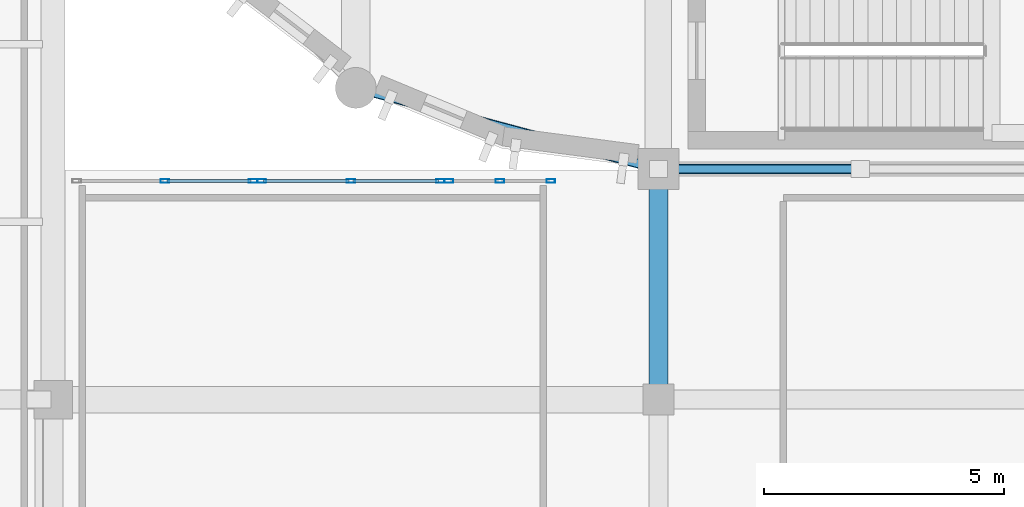
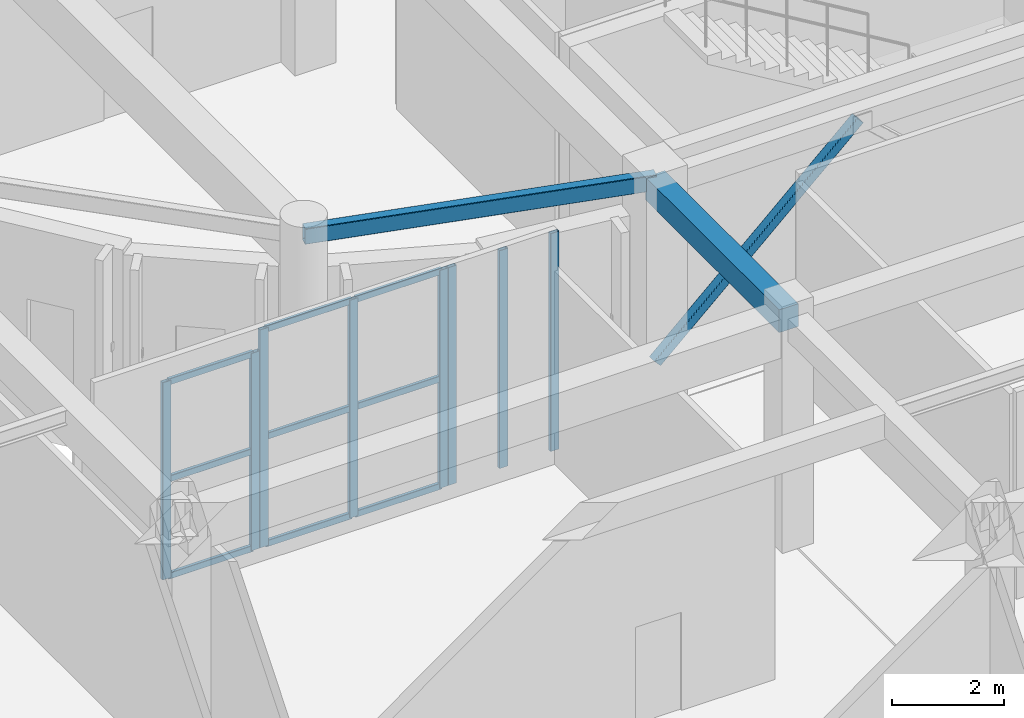
# One storey, part 33 of 98: 18 members, 2 beams, 3 elements without a shape of their own.
"""IFC4 building model written with IfcOpenShell, lengths in metres."""

from ifc_helpers import new_model, si_unit, direction, frame, origin, origin_2d, place, context, subcontext, project, spatial, rectangle, hollow_rectangle, extrude, material, layer, layer_set, material_profile, profile_set, type_object, element, aggregate, save


model = new_model("IFC4")

# Units and contexts
model_context = context("Model", 3, precision=1e-05, world=origin(), true_north=direction((0.0, 1.0)))
body_context = subcontext(model_context, "Body", "Model", "MODEL_VIEW")
ifc_project = project(units=[si_unit("LENGTHUNIT", "METRE"), si_unit("AREAUNIT", "SQUARE_METRE"), si_unit("VOLUMEUNIT", "CUBIC_METRE"), si_unit("PLANEANGLEUNIT", "RADIAN"), si_unit("MASSUNIT", "GRAM", prefix="KILO")], contexts=[model_context])

# Site, building, storey
site_placement = place(None, origin())
site = spatial("IfcSite", under=ifc_project, at=site_placement, CompositionType="ELEMENT")
building_placement = place(site_placement, origin())
building = spatial("IfcBuilding", under=site, at=building_placement, Name="Tarnavel Promenade Courthouse", CompositionType="ELEMENT")
storey_placement = place(building_placement, origin())
storey = spatial("IfcBuildingStorey", under=building, at=storey_placement, Name="L01", CompositionType="ELEMENT", Elevation=0.0)

# Beams
ifc_material_1 = material(Name="Concrete C40/50", Category="concrete")
ifc_material_profile_1 = material_profile(ifc_material_1, rectangle(XDim=0.39990234375, YDim=0.5, at=origin_2d()), Name="RC 400x500")
ifc_profile_set_1 = profile_set([ifc_material_profile_1], Name="Concrete C40/50")
beam_type_1 = type_object("IfcBeamType", Name="Concrete C40/50 BM-RC-400x500 (RC 400x500)", PredefinedType="BEAM", material=ifc_profile_set_1)
beam_1_placement = place(storey_placement, frame((58.800048828125, 74.39990234375, 4.844970703125), z_axis=(0.0, 1.0, 0.0), x_axis=(-1.0, 0.0, 0.0)))
element("IfcBeam", 1, at=beam_1_placement, inside=storey, type_object=beam_type_1, Name="L01 Transverse Girder 0791", PredefinedType="BEAM", context=body_context, shape_type="SweptSolid", body=[
    extrude(rectangle(XDim=0.39990234375, YDim=0.5, at=origin_2d()), origin(), (0.0, 0.0, 1.0), 4.800048828125),
])
ifc_material_2 = material(Name="Steel S355J2", Category="steel")
ifc_material_profile_2 = material_profile(ifc_material_2, hollow_rectangle(XDim=0.199951171875, YDim=0.35009765625, WallThickness=0.012451171875, InnerFilletRadius=0.012451171875, OuterFilletRadius=0.02490234375, at=origin_2d()), Name="RHS 350x200x12.5")
ifc_profile_set_2 = profile_set([ifc_material_profile_2], Name="Steel S355J2")
beam_type_2 = type_object("IfcBeamType", Name="Steel S355J2 BM-ST-RHS350 (RHS 350x200x12.5)", PredefinedType="SPANDREL", material=ifc_profile_set_2)
beam_2_placement = place(storey_placement, frame((52.5, 80.88818359375, 4.9599609375), z_axis=(0.965920481897, -0.258838989821, 0.0), x_axis=(0.258838989821, 0.965920481897, 0.0)))
element("IfcBeam", 2, at=beam_2_placement, inside=storey, type_object=beam_type_2, Name="L01 Drum Ring Spandrel 1059", PredefinedType="SPANDREL", context=body_context, shape_type="SweptSolid", body=[
    extrude(hollow_rectangle(XDim=0.199951171875, YDim=0.35009765625, WallThickness=0.012451171875, InnerFilletRadius=0.012451171875, OuterFilletRadius=0.02490234375, at=origin_2d()), origin(), (0.0, 0.0, 1.0), 6.522216796875),
])

# Member
ifc_material_profile_3 = material_profile(ifc_material_2, hollow_rectangle(XDim=0.199951171875, YDim=0.199951171875, WallThickness=0.012451171875, InnerFilletRadius=0.012451171875, OuterFilletRadius=0.02490234375, at=origin_2d()), Name="SHS 200x200x12.5")
ifc_profile_set_3 = profile_set([ifc_material_profile_3], Name="Steel S355J2")
member_type_1 = type_object("IfcMemberType", Name="Steel S355J2 MEM-BR-SHS200 (SHS 200x200x12.5)", PredefinedType="BRACE", material=ifc_profile_set_3)
member_1_placement = place(storey_placement, frame((58.800048828125, 79.199951171875, 0.9951171875), z_axis=(0.737163033708, 0.0, 0.675714926381), x_axis=(0.0, 1.0, 0.0)))
element("IfcMember", 3, at=member_1_placement, inside=storey, type_object=member_type_1, Name="L01 V5 Chevron Brace A 002", PredefinedType="BRACE", context=body_context, shape_type="SweptSolid", body=[
    extrude(hollow_rectangle(XDim=0.199951171875, YDim=0.199951171875, WallThickness=0.012451171875, InnerFilletRadius=0.012451171875, OuterFilletRadius=0.02490234375, at=origin_2d()), origin(), (0.0, 0.0, 1.0), 5.697509765625),
])

# Curtain wall, members
ifc_material_3 = material(Name="Thermally Broken Anodised Aluminium Curtain Wall System", Category="aluminium")
ifc_layer = layer(ifc_material_3, 0.2099609375)
ifc_layer_set = layer_set([ifc_layer], Name="Thermally Broken Anodised Aluminium Curtain Wall System")
curtain_wall_type = type_object("IfcCurtainWallType", Name="Thermally Broken Aluminium Triple-Glazed Curtain Wall CW-WG-N", PredefinedType="NOTDEFINED", material=ifc_layer_set)
curtain_wall_1_placement = place(storey_placement, origin())
curtain_wall_1 = element("IfcCurtainWall", 4, at=curtain_wall_1_placement, inside=storey, type_object=curtain_wall_type, Name="L01 Winter-Garden North Curtain Wall 102", PredefinedType="NOTDEFINED")
ifc_material_4 = material(Name="Thermally Broken Anodised Aluminium Frame", Category="aluminium")
ifc_material_profile_4 = material_profile(ifc_material_4, hollow_rectangle(XDim=0.080078125, YDim=0.179931640625, WallThickness=0.0048828125, InnerFilletRadius=0.0048828125, OuterFilletRadius=0.010009765625, at=origin_2d()), Name="CWM 180x80x5")
ifc_profile_set_4 = profile_set([ifc_material_profile_4], Name="Thermally Broken Anodised Aluminium Frame")
member_type_2 = type_object("IfcMemberType", Name="Thermally Broken Anodised Aluminium CWM-155 (CWM 180x80x5)", PredefinedType="MULLION", material=ifc_profile_set_4)
member_2_placement = place(storey_placement, frame((48.52490234375, 78.949951171875, 0.0), z_axis=(0.0, 0.0, 1.0), x_axis=(0.0, 1.0, 0.0)))
member_2 = element("IfcMember", 5, at=member_2_placement, type_object=member_type_2, Name="CW-03 mullion 2", PredefinedType="MULLION", context=body_context, shape_type="SweptSolid", body=[
    extrude(hollow_rectangle(XDim=0.080078125, YDim=0.179931640625, WallThickness=0.0048828125, InnerFilletRadius=0.0048828125, OuterFilletRadius=0.010009765625, at=origin_2d()), origin(), (0.0, 0.0, 1.0), 4.320068359375),
])
member_3_placement = place(storey_placement, frame((50.360107421875, 78.949951171875, 0.0), z_axis=(0.0, 0.0, 1.0), x_axis=(0.0, 1.0, 0.0)))
member_3 = element("IfcMember", 6, at=member_3_placement, type_object=member_type_2, Name="CW-03 mullion 3", PredefinedType="MULLION", context=body_context, shape_type="SweptSolid", body=[
    extrude(hollow_rectangle(XDim=0.080078125, YDim=0.179931640625, WallThickness=0.0048828125, InnerFilletRadius=0.0048828125, OuterFilletRadius=0.010009765625, at=origin_2d()), origin(), (0.0, 0.0, 1.0), 4.320068359375),
])

curtain_wall_2_placement = place(storey_placement, origin())
curtain_wall_2 = element("IfcCurtainWall", 7, at=curtain_wall_2_placement, inside=storey, type_object=curtain_wall_type, Name="L01 Winter-Garden North Curtain Wall 103", PredefinedType="NOTDEFINED")
member_4_placement = place(storey_placement, frame((50.5400390625, 78.949951171875, 0.0), z_axis=(0.0, 0.0, 1.0), x_axis=(0.0, 1.0, 0.0)))
member_4 = element("IfcMember", 8, at=member_4_placement, type_object=member_type_2, Name="CW-03 mullion 1", PredefinedType="MULLION", context=body_context, shape_type="SweptSolid", body=[
    extrude(hollow_rectangle(XDim=0.080078125, YDim=0.179931640625, WallThickness=0.0048828125, InnerFilletRadius=0.0048828125, OuterFilletRadius=0.010009765625, at=origin_2d()), origin(), (0.0, 0.0, 1.0), 4.77001953125),
])
member_5_placement = place(storey_placement, frame((52.39990234375, 78.949951171875, 0.0), z_axis=(0.0, 0.0, 1.0), x_axis=(0.0, 1.0, 0.0)))
member_5 = element("IfcMember", 9, at=member_5_placement, type_object=member_type_2, Name="CW-03 mullion 2", PredefinedType="MULLION", context=body_context, shape_type="SweptSolid", body=[
    extrude(hollow_rectangle(XDim=0.080078125, YDim=0.179931640625, WallThickness=0.0048828125, InnerFilletRadius=0.0048828125, OuterFilletRadius=0.010009765625, at=origin_2d()), origin(), (0.0, 0.0, 1.0), 4.77001953125),
])
member_6_placement = place(storey_placement, frame((54.260009765625, 78.949951171875, 0.0), z_axis=(0.0, 0.0, 1.0), x_axis=(0.0, 1.0, 0.0)))
member_6 = element("IfcMember", 10, at=member_6_placement, type_object=member_type_2, Name="CW-03 mullion 3", PredefinedType="MULLION", context=body_context, shape_type="SweptSolid", body=[
    extrude(hollow_rectangle(XDim=0.080078125, YDim=0.179931640625, WallThickness=0.0048828125, InnerFilletRadius=0.0048828125, OuterFilletRadius=0.010009765625, at=origin_2d()), origin(), (0.0, 0.0, 1.0), 4.77001953125),
])

curtain_wall_3_placement = place(storey_placement, origin())
curtain_wall_3 = element("IfcCurtainWall", 11, at=curtain_wall_3_placement, inside=storey, type_object=curtain_wall_type, Name="L01 Winter-Garden North Curtain Wall 104", PredefinedType="NOTDEFINED")
member_7_placement = place(storey_placement, frame((54.43994140625, 78.949951171875, 0.0), z_axis=(0.0, 0.0, 1.0), x_axis=(0.0, 1.0, 0.0)))
member_7 = element("IfcMember", 12, at=member_7_placement, type_object=member_type_2, Name="CW-03 mullion 1", PredefinedType="MULLION", context=body_context, shape_type="SweptSolid", body=[
    extrude(hollow_rectangle(XDim=0.080078125, YDim=0.179931640625, WallThickness=0.0048828125, InnerFilletRadius=0.0048828125, OuterFilletRadius=0.010009765625, at=origin_2d()), origin(), (0.0, 0.0, 1.0), 4.77001953125),
])
member_8_placement = place(storey_placement, frame((55.5, 78.949951171875, 0.0), z_axis=(0.0, 0.0, 1.0), x_axis=(0.0, 1.0, 0.0)))
member_8 = element("IfcMember", 13, at=member_8_placement, type_object=member_type_2, Name="CW-03 mullion 2", PredefinedType="MULLION", context=body_context, shape_type="SweptSolid", body=[
    extrude(hollow_rectangle(XDim=0.080078125, YDim=0.179931640625, WallThickness=0.0048828125, InnerFilletRadius=0.0048828125, OuterFilletRadius=0.010009765625, at=origin_2d()), origin(), (0.0, 0.0, 1.0), 4.77001953125),
])
member_9_placement = place(storey_placement, frame((56.56005859375, 78.949951171875, 0.0), z_axis=(0.0, 0.0, 1.0), x_axis=(0.0, 1.0, 0.0)))
member_9 = element("IfcMember", 14, at=member_9_placement, type_object=member_type_2, Name="CW-03 mullion 3", PredefinedType="MULLION", context=body_context, shape_type="SweptSolid", body=[
    extrude(hollow_rectangle(XDim=0.080078125, YDim=0.179931640625, WallThickness=0.0048828125, InnerFilletRadius=0.0048828125, OuterFilletRadius=0.010009765625, at=origin_2d()), origin(), (0.0, 0.0, 1.0), 4.77001953125),
])
aggregate(curtain_wall_3, [member_7, member_8, member_9])

# Member
ifc_material_profile_5 = material_profile(ifc_material_4, hollow_rectangle(XDim=0.070068359375, YDim=0.139892578125, WallThickness=0.0048828125, InnerFilletRadius=0.0048828125, OuterFilletRadius=0.010009765625, at=origin_2d()), Name="CWT 140x70x5")
ifc_profile_set_5 = profile_set([ifc_material_profile_5], Name="Thermally Broken Anodised Aluminium Frame")
member_type_3 = type_object("IfcMemberType", Name="Thermally Broken Anodised Aluminium CWT-125 (CWT 140x70x5)", PredefinedType="USERDEFINED", material=ifc_profile_set_5)
member_10_placement = place(storey_placement, frame((48.56494140625, 78.949951171875, 0.034912109375), z_axis=(1.0, 0.0, 0.0), x_axis=(0.0, 1.0, 0.0)))
member_10 = element("IfcMember", 15, at=member_10_placement, type_object=member_type_3, Name="CW-03 transom 2.1", ObjectType="TRANSOM", PredefinedType="USERDEFINED", context=body_context, shape_type="SweptSolid", body=[
    extrude(hollow_rectangle(XDim=0.070068359375, YDim=0.139892578125, WallThickness=0.0048828125, InnerFilletRadius=0.0048828125, OuterFilletRadius=0.010009765625, at=origin_2d()), origin(), (0.0, 0.0, 1.0), 1.755126953125),
])

member_11_placement = place(storey_placement, frame((48.56494140625, 78.949951171875, 2.159912109375), z_axis=(1.0, 0.0, 0.0), x_axis=(0.0, 1.0, 0.0)))
member_11 = element("IfcMember", 16, at=member_11_placement, type_object=member_type_3, Name="CW-03 transom 2.2", ObjectType="TRANSOM", PredefinedType="USERDEFINED", context=body_context, shape_type="SweptSolid", body=[
    extrude(hollow_rectangle(XDim=0.070068359375, YDim=0.139892578125, WallThickness=0.0048828125, InnerFilletRadius=0.0048828125, OuterFilletRadius=0.010009765625, at=origin_2d()), origin(), (0.0, 0.0, 1.0), 1.755126953125),
])

member_12_placement = place(storey_placement, frame((48.56494140625, 78.949951171875, 4.284912109375), z_axis=(1.0, 0.0, 0.0), x_axis=(0.0, 1.0, 0.0)))
member_12 = element("IfcMember", 17, at=member_12_placement, type_object=member_type_3, Name="CW-03 transom 2.3", ObjectType="TRANSOM", PredefinedType="USERDEFINED", context=body_context, shape_type="SweptSolid", body=[
    extrude(hollow_rectangle(XDim=0.070068359375, YDim=0.139892578125, WallThickness=0.0048828125, InnerFilletRadius=0.0048828125, OuterFilletRadius=0.010009765625, at=origin_2d()), origin(), (0.0, 0.0, 1.0), 1.755126953125),
])

aggregate(curtain_wall_1, [member_2, member_3, member_10, member_11, member_12])

member_13_placement = place(storey_placement, frame((50.580078125, 78.949951171875, 0.034912109375), z_axis=(1.0, 0.0, 0.0), x_axis=(0.0, 1.0, 0.0)))
member_13 = element("IfcMember", 18, at=member_13_placement, type_object=member_type_3, Name="CW-03 transom 1.1", ObjectType="TRANSOM", PredefinedType="USERDEFINED", context=body_context, shape_type="SweptSolid", body=[
    extrude(hollow_rectangle(XDim=0.070068359375, YDim=0.139892578125, WallThickness=0.0048828125, InnerFilletRadius=0.0048828125, OuterFilletRadius=0.010009765625, at=origin_2d()), origin(), (0.0, 0.0, 1.0), 1.780029296875),
])

member_14_placement = place(storey_placement, frame((50.580078125, 78.949951171875, 2.385009765625), z_axis=(1.0, 0.0, 0.0), x_axis=(0.0, 1.0, 0.0)))
member_14 = element("IfcMember", 19, at=member_14_placement, type_object=member_type_3, Name="CW-03 transom 1.2", ObjectType="TRANSOM", PredefinedType="USERDEFINED", context=body_context, shape_type="SweptSolid", body=[
    extrude(hollow_rectangle(XDim=0.070068359375, YDim=0.139892578125, WallThickness=0.0048828125, InnerFilletRadius=0.0048828125, OuterFilletRadius=0.010009765625, at=origin_2d()), origin(), (0.0, 0.0, 1.0), 1.780029296875),
])

member_15_placement = place(storey_placement, frame((50.580078125, 78.949951171875, 4.735107421875), z_axis=(1.0, 0.0, 0.0), x_axis=(0.0, 1.0, 0.0)))
member_15 = element("IfcMember", 20, at=member_15_placement, type_object=member_type_3, Name="CW-03 transom 1.3", ObjectType="TRANSOM", PredefinedType="USERDEFINED", context=body_context, shape_type="SweptSolid", body=[
    extrude(hollow_rectangle(XDim=0.070068359375, YDim=0.139892578125, WallThickness=0.0048828125, InnerFilletRadius=0.0048828125, OuterFilletRadius=0.010009765625, at=origin_2d()), origin(), (0.0, 0.0, 1.0), 1.780029296875),
])

member_16_placement = place(storey_placement, frame((52.43994140625, 78.949951171875, 0.034912109375), z_axis=(1.0, 0.0, 0.0), x_axis=(0.0, 1.0, 0.0)))
member_16 = element("IfcMember", 21, at=member_16_placement, type_object=member_type_3, Name="CW-03 transom 2.1", ObjectType="TRANSOM", PredefinedType="USERDEFINED", context=body_context, shape_type="SweptSolid", body=[
    extrude(hollow_rectangle(XDim=0.070068359375, YDim=0.139892578125, WallThickness=0.0048828125, InnerFilletRadius=0.0048828125, OuterFilletRadius=0.010009765625, at=origin_2d()), origin(), (0.0, 0.0, 1.0), 1.780029296875),
])

member_17_placement = place(storey_placement, frame((52.43994140625, 78.949951171875, 2.385009765625), z_axis=(1.0, 0.0, 0.0), x_axis=(0.0, 1.0, 0.0)))
member_17 = element("IfcMember", 22, at=member_17_placement, type_object=member_type_3, Name="CW-03 transom 2.2", ObjectType="TRANSOM", PredefinedType="USERDEFINED", context=body_context, shape_type="SweptSolid", body=[
    extrude(hollow_rectangle(XDim=0.070068359375, YDim=0.139892578125, WallThickness=0.0048828125, InnerFilletRadius=0.0048828125, OuterFilletRadius=0.010009765625, at=origin_2d()), origin(), (0.0, 0.0, 1.0), 1.780029296875),
])

member_18_placement = place(storey_placement, frame((52.43994140625, 78.949951171875, 4.735107421875), z_axis=(1.0, 0.0, 0.0), x_axis=(0.0, 1.0, 0.0)))
member_18 = element("IfcMember", 23, at=member_18_placement, type_object=member_type_3, Name="CW-03 transom 2.3", ObjectType="TRANSOM", PredefinedType="USERDEFINED", context=body_context, shape_type="SweptSolid", body=[
    extrude(hollow_rectangle(XDim=0.070068359375, YDim=0.139892578125, WallThickness=0.0048828125, InnerFilletRadius=0.0048828125, OuterFilletRadius=0.010009765625, at=origin_2d()), origin(), (0.0, 0.0, 1.0), 1.780029296875),
])

aggregate(curtain_wall_2, [member_4, member_5, member_6, member_13, member_14, member_15, member_16, member_17, member_18])

save(model, "model.ifc")
